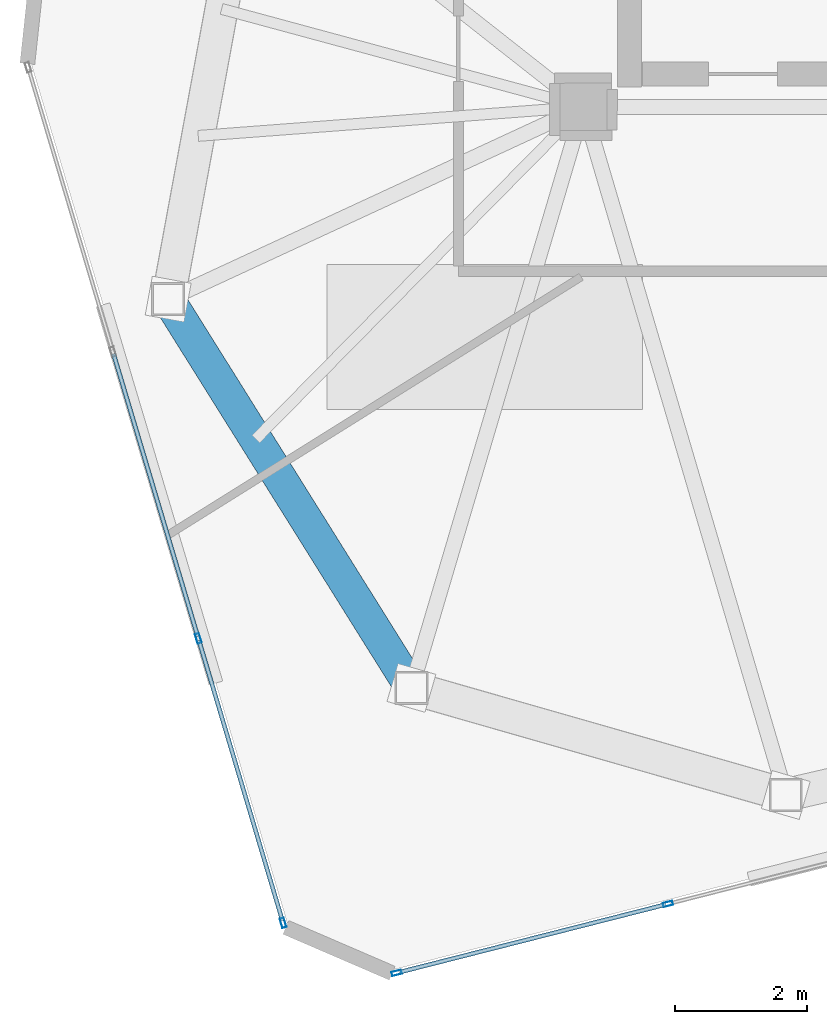
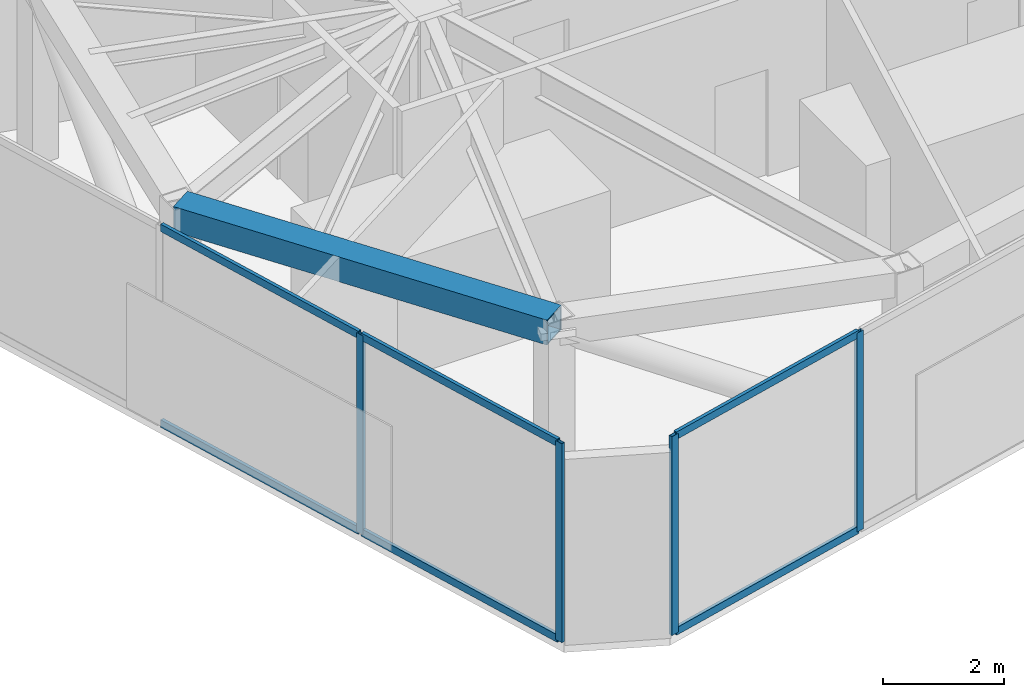
# One storey, part 2 of 21: 10 members, 1 beam, 2 elements without a shape of their own.
"""IFC4 building model written with IfcOpenShell, lengths in metres."""

import ifcopenshell
import ifcopenshell.guid

model = None  # the IFC model being written
_history = None  # IfcOwnerHistory: only IFC2X3 demands one
_inside = {}  # id of a spatial element -> (the spatial element, [elements in it])
_under = {}  # id of a project, library or spatial element -> (it, [spatial elements below it])
_declared = {}  # id of a project -> (the project, [libraries it declares])
_typed = {}  # id of a type object -> (the type object, [elements of that type])
_made_of = {}  # id of a material, layer set ... -> (it, [elements and type objects made of it])


def new_model(schema):
    """Start an empty IFC model of exactly this schema.

    Asked for "IFC4X3", IfcOpenShell would pick the latest addendum, in which some entities
    have other attributes; the version numbers below select the first issue.
    IFC2X3 requires an IfcOwnerHistory on every rooted entity: one is made here for all.
    """
    global model, _history
    if schema == "IFC4X3":
        model = ifcopenshell.file(schema_version=(4, 3, 0, 0))
    else:
        model = ifcopenshell.file(schema=schema)
    _inside.clear()
    _under.clear()
    _declared.clear()
    _typed.clear()
    _made_of.clear()
    _history = None
    if model.schema == "IFC2X3":
        org = make("IfcOrganization", Name="unknown")
        user = make(
            "IfcPersonAndOrganization",
            ThePerson=make("IfcPerson", FamilyName="unknown"),
            TheOrganization=org,
        )
        app = make(
            "IfcApplication",
            ApplicationDeveloper=org,
            Version="unknown",
            ApplicationFullName="unknown",
            ApplicationIdentifier="unknown",
        )
        _history = make(
            "IfcOwnerHistory",
            OwningUser=user,
            OwningApplication=app,
            ChangeAction="ADDED",
            CreationDate=0,
        )
    return model


def make(cls, **values):
    """One entity of the class cls with the attributes given. An attribute that is None is left unset."""
    return model.create_entity(
        cls, **{name: value for name, value in values.items() if value is not None}
    )


def rooted(cls, **values):
    """An entity with a GlobalId (a new one), such as an element, a storey or a relation."""
    return make(cls, GlobalId=ifcopenshell.guid.new(), OwnerHistory=_history, **values)


def si_unit(unit_type, name, prefix=None):
    """IfcSIUnit, for example si_unit("LENGTHUNIT", "METRE", prefix="MILLI")."""
    return make("IfcSIUnit", UnitType=unit_type, Prefix=prefix, Name=name)


def assignment(units):
    """IfcUnitAssignment: the units of a project."""
    return None if units is None else make("IfcUnitAssignment", Units=units)


def point(xyz):
    """IfcCartesianPoint."""
    return None if xyz is None else make("IfcCartesianPoint", Coordinates=xyz)


def direction(xyz):
    """IfcDirection."""
    return None if xyz is None else make("IfcDirection", DirectionRatios=xyz)


def frame(location, z_axis=None, x_axis=None):
    """IfcAxis2Placement3D, a coordinate frame: its origin and axes. An axis left out is left unset."""
    return make(
        "IfcAxis2Placement3D",
        Location=point(location),
        Axis=direction(z_axis),
        RefDirection=direction(x_axis),
    )


def frame_2d(location, x_axis=None):
    """IfcAxis2Placement2D, a coordinate frame in the plane: its origin and x axis."""
    return make(
        "IfcAxis2Placement2D", Location=point(location), RefDirection=direction(x_axis)
    )


def origin():
    """The frame at (0, 0, 0) with its axes left unset."""
    return frame((0.0, 0.0, 0.0))


def origin_2d():
    """The frame at (0, 0) in the plane with its x axis left unset."""
    return frame_2d((0.0, 0.0))


def place(relative_to, where):
    """IfcLocalPlacement: puts the frame where relative to a parent placement (None: the world)."""
    return make(
        "IfcLocalPlacement", PlacementRelTo=relative_to, RelativePlacement=where
    )


def context(
    kind, dimensions, precision=None, world=None, true_north=None, identifier=None
):
    """IfcGeometricRepresentationContext, for example the 3D "Model" context."""
    return make(
        "IfcGeometricRepresentationContext",
        ContextIdentifier=identifier,
        ContextType=kind,
        CoordinateSpaceDimension=dimensions,
        Precision=precision,
        WorldCoordinateSystem=world,
        TrueNorth=true_north,
    )


def subcontext(parent, identifier, kind, view, scale=None):
    """IfcGeometricRepresentationSubContext, for example "Body" below "Model"."""
    return make(
        "IfcGeometricRepresentationSubContext",
        ContextIdentifier=identifier,
        ContextType=kind,
        ParentContext=parent,
        TargetScale=scale,
        TargetView=view,
    )


def project(units=None, contexts=None):
    """IfcProject with its units and contexts."""
    return rooted(
        "IfcProject",
        Name="project",
        RepresentationContexts=contexts,
        UnitsInContext=assignment(units),
    )


def spatial(cls, under=None, at=None, **own):
    """A site, building, storey or space (cls), placed at a placement, below another one or the project."""
    s = rooted(cls, ObjectPlacement=at, **own)
    if under is not None:
        _under.setdefault(under.id(), (under, []))[1].append(s)
    return s


def profile(cls, at=None, kind="AREA", **sizes):
    """A parametric profile (cls). Its sizes go by their IFC names, for example OverallWidth=200.0."""
    return make(cls, ProfileType=kind, Position=at, **sizes)


def hollow_rectangle(**sizes):
    """IfcRectangleHollowProfileDef."""
    return profile("IfcRectangleHollowProfileDef", **sizes)


def extrude(swept, where, along, depth):
    """IfcExtrudedAreaSolid: the profile swept, set in the frame where, extruded along a direction by depth."""
    return make(
        "IfcExtrudedAreaSolid",
        SweptArea=swept,
        Position=where,
        ExtrudedDirection=direction(along),
        Depth=depth,
    )


def shape(context_of_items, identifier, shape_type, items):
    """IfcShapeRepresentation: the items that make up one representation, for example the "Body"."""
    return make(
        "IfcShapeRepresentation",
        ContextOfItems=context_of_items,
        RepresentationIdentifier=identifier,
        RepresentationType=shape_type,
        Items=items,
    )


def source(mapping_origin, context_of_items, identifier, shape_type, items):
    """IfcRepresentationMap: a shape defined once, which mapped items show again and again."""
    return make(
        "IfcRepresentationMap",
        MappingOrigin=mapping_origin,
        MappedRepresentation=shape(context_of_items, identifier, shape_type, items),
    )


def transform(
    local_origin,
    x_axis=None,
    y_axis=None,
    z_axis=None,
    scale=None,
    scale2=None,
    scale3=None,
    uniform=True,
):
    """IfcCartesianTransformationOperator3D, or its non-uniform kind. x_axis, y_axis, z_axis: its Axis1, 2, 3."""
    if uniform:
        return make(
            "IfcCartesianTransformationOperator3D",
            Axis1=direction(x_axis),
            Axis2=direction(y_axis),
            LocalOrigin=point(local_origin),
            Scale=scale,
            Axis3=direction(z_axis),
        )
    return make(
        "IfcCartesianTransformationOperator3DnonUniform",
        Axis1=direction(x_axis),
        Axis2=direction(y_axis),
        LocalOrigin=point(local_origin),
        Scale=scale,
        Axis3=direction(z_axis),
        Scale2=scale2,
        Scale3=scale3,
    )


def mapped(mapping_source, mapping_target):
    """IfcMappedItem: shows the shape of a source again, moved by a transform."""
    return make(
        "IfcMappedItem", MappingSource=mapping_source, MappingTarget=mapping_target
    )


def material(Name=None, Category=None):
    """IfcMaterial."""
    return make("IfcMaterial", Name=Name, Category=Category)


def layer(
    of_material, thickness, ventilated=None, Name=None, Category=None, Priority=None
):
    """IfcMaterialLayer: one layer of a wall or slab, of a material (None: an air gap)."""
    return make(
        "IfcMaterialLayer",
        Material=of_material,
        LayerThickness=thickness,
        IsVentilated=ventilated,
        Name=Name,
        Category=Category,
        Priority=Priority,
    )


def layer_set(layers, Name=None):
    """IfcMaterialLayerSet."""
    return make("IfcMaterialLayerSet", MaterialLayers=layers, LayerSetName=Name)


def material_profile(
    of_material, cross_section, Name=None, Category=None, Priority=None
):
    """IfcMaterialProfile: a cross section and its material."""
    return make(
        "IfcMaterialProfile",
        Name=Name,
        Material=of_material,
        Profile=cross_section,
        Priority=Priority,
        Category=Category,
    )


def profile_set(profiles, Name=None, composite=None):
    """IfcMaterialProfileSet."""
    return make(
        "IfcMaterialProfileSet",
        Name=Name,
        MaterialProfiles=profiles,
        CompositeProfile=composite,
    )


def made_of(thing, what):
    """Note that an element or type object is made of a material, layer set ...; save() writes the relation."""
    if what is not None:
        _made_of.setdefault(what.id(), (what, []))[1].append(thing)
    return thing


def type_object(cls, material=None, **own):
    """A type object (cls), such as IfcWallType, which elements share."""
    return made_of(rooted(cls, **own), material)


def type_shapes(of_type, sources):
    """Give a type object the sources (RepresentationMaps) that its elements show as mapped items."""
    of_type.RepresentationMaps = sources


def element(
    cls,
    number,
    at=None,
    inside=None,
    cuts=None,
    type_object=None,
    material=None,
    context=None,
    identifier="Body",
    shape_type=None,
    held_by="IfcProductDefinitionShape",
    body=None,
    shapes=None,
    **own,
):
    """One element of the class cls, such as IfcWall. Its Tag is "e" and its number.

    at: its placement. inside: the storey or other place that contains it. cuts: it is an
    opening in that element (IfcRelVoidsElement). A single representation is given by context,
    identifier, shape_type and body (its items); several are given by shapes. held_by: the class
    of the entity that holds the representations. save() writes the other relations.
    """
    e = rooted(cls, Tag="e%d" % number, ObjectPlacement=at, **own)
    if body is not None:
        shapes = [shape(context, identifier, shape_type, body)]
    if shapes is not None:
        e.Representation = make(held_by, Representations=shapes)
    if inside is not None:
        _inside.setdefault(inside.id(), (inside, []))[1].append(e)
    if cuts is not None:
        rooted(
            "IfcRelVoidsElement", RelatingBuildingElement=cuts, RelatedOpeningElement=e
        )
    if type_object is not None:
        _typed.setdefault(type_object.id(), (type_object, []))[1].append(e)
    return made_of(e, material)


def aggregate(whole, parts):
    """IfcRelAggregates: a whole, such as a stair, and the parts it consists of."""
    return rooted("IfcRelAggregates", RelatingObject=whole, RelatedObjects=parts)


def save(model, path):
    """Write the relations noted so far, then the file.

    IfcRelAggregates (storeys below a building ...), IfcRelContainedInSpatialStructure (elements
    in a storey), IfcRelDefinesByType, IfcRelAssociatesMaterial and IfcRelDeclares: one each for
    every whole, place, type object, material and project.
    """
    for whole, parts in _under.values():
        aggregate(whole, parts)
    for where, things in _inside.values():
        rooted(
            "IfcRelContainedInSpatialStructure",
            RelatedElements=things,
            RelatingStructure=where,
        )
    for kind, things in _typed.values():
        rooted("IfcRelDefinesByType", RelatedObjects=things, RelatingType=kind)
    for what, things in _made_of.values():
        rooted("IfcRelAssociatesMaterial", RelatedObjects=things, RelatingMaterial=what)
    for by, libraries in _declared.values():
        rooted("IfcRelDeclares", RelatingContext=by, RelatedDefinitions=libraries)
    model.write(path)


model = new_model("IFC4")

# Units and contexts
model_context = context("Model", 3, precision=1e-05, world=origin(), true_north=direction((0.0, 1.0)))
body_context = subcontext(model_context, "Body", "Model", "MODEL_VIEW")
ifc_project = project(units=[si_unit("LENGTHUNIT", "METRE"), si_unit("AREAUNIT", "SQUARE_METRE"), si_unit("VOLUMEUNIT", "CUBIC_METRE"), si_unit("PLANEANGLEUNIT", "RADIAN"), si_unit("MASSUNIT", "GRAM", prefix="KILO")], contexts=[model_context])

# Site, building, storey
site_placement = place(None, origin())
site = spatial("IfcSite", under=ifc_project, at=site_placement, CompositionType="ELEMENT")
building_placement = place(site_placement, origin())
building = spatial("IfcBuilding", under=site, at=building_placement, Name="Talar Marvaseh", CompositionType="ELEMENT")
storey_placement = place(building_placement, frame((0.0, 0.0, 300.0)))
storey = spatial("IfcBuildingStorey", under=building, at=storey_placement, Name="L80", CompositionType="ELEMENT", Elevation=300.0)

# Beam
ifc_material_1 = material(Name="Steel S460", Category="steel")
ifc_material_profile_1 = material_profile(ifc_material_1, hollow_rectangle(XDim=0.5, YDim=0.5, WallThickness=0.02490234375, at=origin_2d()), Name="BOX500x500x25")
ifc_profile_set_1 = profile_set([ifc_material_profile_1], Name="Steel S460")
beam_type = type_object("IfcBeamType", Name="Crown Frame Top Ring Beam BOX500x500x25", PredefinedType="BEAM", material=ifc_profile_set_1)
beam_placement = place(storey_placement, frame((16.0869140625, 16.66796875, 3.489990234375), z_axis=(-0.530505706813, 0.847681364098, 0.0), x_axis=(-0.847681364098, -0.530505706813, 0.0)))
element("IfcBeam", 1, at=beam_placement, inside=storey, type_object=beam_type, Name="L80 Crown Frame Top Ring Beam BOX500x500x25", PredefinedType="BEAM", context=body_context, shape_type="SweptSolid", body=[
    extrude(hollow_rectangle(XDim=0.5, YDim=0.5, WallThickness=0.02490234375, at=origin_2d()), origin(), (0.0, 0.0, 1.0), 6.970703125),
])

# Curtain wall, members
ifc_material_2 = material(Name="Architectural Aluminium", Category="aluminium")
ifc_layer = layer(ifc_material_2, 0.2099609375)
ifc_layer_set = layer_set([ifc_layer], Name="Architectural Aluminium")
curtain_wall_type = type_object("IfcCurtainWallType", Name="Crown Plant Acoustic Spandrel Curtain Wall", PredefinedType="NOTDEFINED", material=ifc_layer_set)
curtain_wall_1_placement = place(storey_placement, origin())
curtain_wall_1 = element("IfcCurtainWall", 2, at=curtain_wall_1_placement, inside=storey, type_object=curtain_wall_type, Name="L80 Crown Plant Acoustic Spandrel Curtain Wall", PredefinedType="NOTDEFINED")
ifc_material_profile_2 = material_profile(ifc_material_2, hollow_rectangle(XDim=0.06494140625, YDim=0.14990234375, WallThickness=0.00390625, at=origin_2d()), Name="RHS150x65x4")
ifc_profile_set_2 = profile_set([ifc_material_profile_2], Name="Architectural Aluminium")
member_type_1 = type_object("IfcMemberType", Name="Unitised Curtain Wall Slim Transom RHS150x65x4", PredefinedType="USERDEFINED", material=ifc_profile_set_2)
shared_shape_1 = source(origin(), body_context, "Body", "SweptSolid", [
    extrude(hollow_rectangle(XDim=0.06494140625, YDim=0.14990234375, WallThickness=0.00390625, at=origin_2d()), origin(), (0.0, 0.0, 1.0), 4.447509765625),
])
member_1_placement = place(storey_placement, frame((14.12646484375, 13.127685546875, 0.032470703125), z_axis=(-0.285614972006, 0.958344451524, 0.0), x_axis=(-0.958344451524, -0.285614972006, 0.0)))
member_1 = element("IfcMember", 3, at=member_1_placement, type_object=member_type_1, Name="CW-CRN transom 1.1", ObjectType="TRANSOM", PredefinedType="USERDEFINED", context=body_context, shape_type="MappedRepresentation", body=[
    mapped(shared_shape_1, transform((0.0, 0.0, 0.0), x_axis=(1.0, 0.0, 0.0), y_axis=(0.0, 1.0, 0.0), z_axis=(0.0, 0.0, 1.0), scale=1.0)),
])
member_2_placement = place(storey_placement, frame((14.12646484375, 13.127685546875, 3.967529296875), z_axis=(-0.285614972006, 0.958344451524, 0.0), x_axis=(-0.958344451524, -0.285614972006, 0.0)))
member_2 = element("IfcMember", 4, at=member_2_placement, type_object=member_type_1, Name="CW-CRN transom 1.2", ObjectType="TRANSOM", PredefinedType="USERDEFINED", context=body_context, shape_type="MappedRepresentation", body=[
    mapped(shared_shape_1, transform((0.0, 0.0, 0.0), x_axis=(1.0, 0.0, 0.0), y_axis=(0.0, 1.0, 0.0), z_axis=(0.0, 0.0, 1.0), scale=1.0)),
])
shared_shape_2 = source(origin(), body_context, "Body", "SweptSolid", [
    extrude(hollow_rectangle(XDim=0.06494140625, YDim=0.14990234375, WallThickness=0.00390625, at=origin_2d()), origin(), (0.0, 0.0, 1.0), 4.47998046875),
])
member_3_placement = place(storey_placement, frame((12.837646484375, 17.4521484375, 0.032470703125), z_axis=(-0.285607575535, 0.958346655859, 0.0), x_axis=(-0.958346655859, -0.285607575535, 0.0)))
member_3 = element("IfcMember", 5, at=member_3_placement, type_object=member_type_1, Name="CW-CRN transom 2.1", ObjectType="TRANSOM", PredefinedType="USERDEFINED", context=body_context, shape_type="MappedRepresentation", body=[
    mapped(shared_shape_2, transform((0.0, 0.0, 0.0), x_axis=(1.0, 0.0, 0.0), y_axis=(0.0, 1.0, 0.0), z_axis=(0.0, 0.0, 1.0), scale=1.0)),
])
member_4_placement = place(storey_placement, frame((12.837646484375, 17.4521484375, 3.967529296875), z_axis=(-0.285607575535, 0.958346655859, 0.0), x_axis=(-0.958346655859, -0.285607575535, 0.0)))
member_4 = element("IfcMember", 6, at=member_4_placement, type_object=member_type_1, Name="CW-CRN transom 2.2", ObjectType="TRANSOM", PredefinedType="USERDEFINED", context=body_context, shape_type="MappedRepresentation", body=[
    mapped(shared_shape_2, transform((0.0, 0.0, 0.0), x_axis=(1.0, 0.0, 0.0), y_axis=(0.0, 1.0, 0.0), z_axis=(0.0, 0.0, 1.0), scale=1.0)),
])

curtain_wall_2_placement = place(storey_placement, origin())
curtain_wall_2 = element("IfcCurtainWall", 7, at=curtain_wall_2_placement, inside=storey, type_object=curtain_wall_type, Name="L80 Crown Plant Acoustic Spandrel Curtain Wall", PredefinedType="NOTDEFINED")
shared_shape_3 = source(origin(), body_context, "Body", "SweptSolid", [
    extrude(hollow_rectangle(XDim=0.06494140625, YDim=0.14990234375, WallThickness=0.00390625, at=origin_2d()), origin(), (0.0, 0.0, 1.0), 4.188720703125),
])
type_shapes(member_type_1, [shared_shape_1, shared_shape_2, shared_shape_3])
member_5_placement = place(storey_placement, frame((19.954345703125, 13.3759765625, 0.032470703125), z_axis=(-0.969188816436, -0.246318976321, 0.0), x_axis=(0.246318976321, -0.969188816436, 0.0)))
member_5 = element("IfcMember", 8, at=member_5_placement, type_object=member_type_1, Name="CW-CRN transom 4.1", ObjectType="TRANSOM", PredefinedType="USERDEFINED", context=body_context, shape_type="MappedRepresentation", body=[
    mapped(shared_shape_3, transform((0.0, 0.0, 0.0), x_axis=(1.0, 0.0, 0.0), y_axis=(0.0, 1.0, 0.0), z_axis=(0.0, 0.0, 1.0), scale=1.0)),
])
member_6_placement = place(storey_placement, frame((19.954345703125, 13.3759765625, 3.967529296875), z_axis=(-0.969188816436, -0.246318976321, 0.0), x_axis=(0.246318976321, -0.969188816436, 0.0)))
member_6 = element("IfcMember", 9, at=member_6_placement, type_object=member_type_1, Name="CW-CRN transom 4.2", ObjectType="TRANSOM", PredefinedType="USERDEFINED", context=body_context, shape_type="MappedRepresentation", body=[
    mapped(shared_shape_3, transform((0.0, 0.0, 0.0), x_axis=(1.0, 0.0, 0.0), y_axis=(0.0, 1.0, 0.0), z_axis=(0.0, 0.0, 1.0), scale=1.0)),
])

# Member
ifc_material_profile_3 = material_profile(ifc_material_2, hollow_rectangle(XDim=0.06494140625, YDim=0.14990234375, WallThickness=0.00390625, at=origin_2d()), Name="RHS150x65x4")
ifc_profile_set_3 = profile_set([ifc_material_profile_3], Name="Architectural Aluminium")
member_type_2 = type_object("IfcMemberType", Name="Unitised Curtain Wall Slim Mullion RHS150x65x4", PredefinedType="MULLION", material=ifc_profile_set_3)
shared_shape_4 = source(origin(), body_context, "Body", "SweptSolid", [
    extrude(hollow_rectangle(XDim=0.06494140625, YDim=0.14990234375, WallThickness=0.00390625, at=origin_2d()), origin(), (0.0, 0.0, 1.0), 4.0),
])
type_shapes(member_type_2, [shared_shape_4])
member_7_placement = place(storey_placement, frame((14.1357421875, 13.0966796875, 0.0), z_axis=(0.0, 0.0, 1.0), x_axis=(-0.958341697337, -0.285624213164, 0.0)))
member_7 = element("IfcMember", 10, at=member_7_placement, type_object=member_type_2, Name="CW-CRN mullion 1", PredefinedType="MULLION", context=body_context, shape_type="MappedRepresentation", body=[
    mapped(shared_shape_4, transform((0.0, 0.0, 0.0), x_axis=(1.0, 0.0, 0.0), y_axis=(0.0, 1.0, 0.0), z_axis=(0.0, 0.0, 1.0), scale=1.0)),
])

member_8_placement = place(storey_placement, frame((12.846923828125, 17.421142578125, 0.0), z_axis=(0.0, 0.0, 1.0), x_axis=(-0.958341697337, -0.285624213164, 0.0)))
member_8 = element("IfcMember", 11, at=member_8_placement, type_object=member_type_2, Name="CW-CRN mullion 2", PredefinedType="MULLION", context=body_context, shape_type="MappedRepresentation", body=[
    mapped(shared_shape_4, transform((0.0, 0.0, 0.0), x_axis=(1.0, 0.0, 0.0), y_axis=(0.0, 1.0, 0.0), z_axis=(0.0, 0.0, 1.0), scale=1.0)),
])

aggregate(curtain_wall_1, [member_7, member_8, member_1, member_2, member_3, member_4])

member_9_placement = place(storey_placement, frame((19.98583984375, 13.384033203125, 0.0), z_axis=(0.0, 0.0, 1.0), x_axis=(0.246303694064, -0.969192700287, 0.0)))
member_9 = element("IfcMember", 12, at=member_9_placement, type_object=member_type_2, Name="CW-CRN mullion 4", PredefinedType="MULLION", context=body_context, shape_type="MappedRepresentation", body=[
    mapped(shared_shape_4, transform((0.0, 0.0, 0.0), x_axis=(1.0, 0.0, 0.0), y_axis=(0.0, 1.0, 0.0), z_axis=(0.0, 0.0, 1.0), scale=1.0)),
])

member_10_placement = place(storey_placement, frame((15.86328125, 12.33642578125, 0.0), z_axis=(0.0, 0.0, 1.0), x_axis=(0.246303694064, -0.969192700287, 0.0)))
member_10 = element("IfcMember", 13, at=member_10_placement, type_object=member_type_2, Name="CW-CRN mullion 5", PredefinedType="MULLION", context=body_context, shape_type="MappedRepresentation", body=[
    mapped(shared_shape_4, transform((0.0, 0.0, 0.0), x_axis=(1.0, 0.0, 0.0), y_axis=(0.0, 1.0, 0.0), z_axis=(0.0, 0.0, 1.0), scale=1.0)),
])

aggregate(curtain_wall_2, [member_9, member_10, member_5, member_6])

save(model, "model.ifc")
